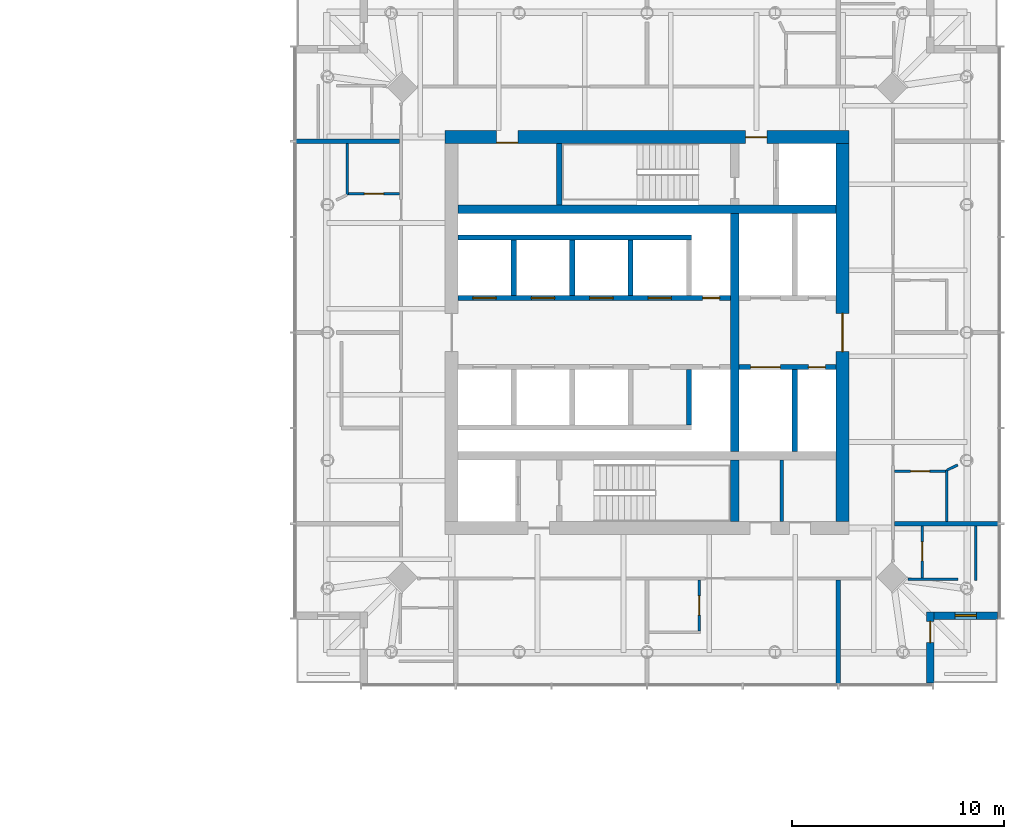
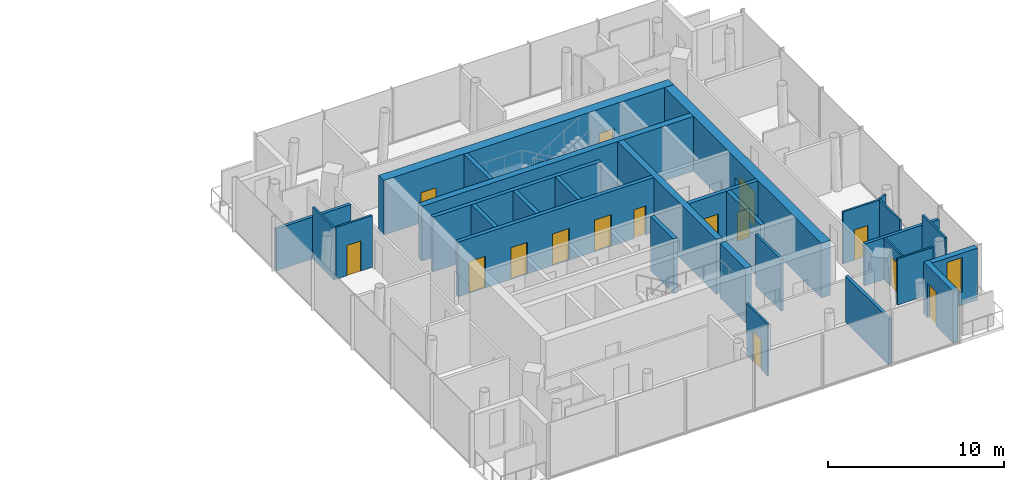
# One storey, part 14 of 27: 29 walls, 15 doors, 1 window, 16 openings.
"""IFC4 building model written with IfcOpenShell, lengths in metres."""

from ifc_helpers import new_model, si_unit, direction, frame, frame_2d, origin, place, context, subcontext, project, spatial, rectangle, extrude, material, layer, layer_set, type_object, element, fill, save


model = new_model("IFC4")

# Units and contexts
model_context = context("Model", 3, precision=1e-05, world=origin(), true_north=direction((0.0, 1.0)))
body_context = subcontext(model_context, "Body", "Model", "MODEL_VIEW")
ifc_project = project(units=[si_unit("LENGTHUNIT", "METRE"), si_unit("AREAUNIT", "SQUARE_METRE"), si_unit("VOLUMEUNIT", "CUBIC_METRE"), si_unit("PLANEANGLEUNIT", "RADIAN"), si_unit("MASSUNIT", "GRAM", prefix="KILO")], contexts=[model_context])

# Site, building, storey
site_placement = place(None, origin())
site = spatial("IfcSite", under=ifc_project, at=site_placement, CompositionType="ELEMENT")
building_placement = place(site_placement, origin())
building = spatial("IfcBuilding", under=site, at=building_placement, Name="Ostroluk Exchange", CompositionType="ELEMENT")
storey_placement = place(building_placement, frame((0.0, 0.0, 112.199951171875)))
storey = spatial("IfcBuildingStorey", under=building, at=storey_placement, Name="L28", CompositionType="ELEMENT", Elevation=112.199951171875)

# Walls
ifc_material_1 = material(Name="Concrete blockwork", Category="masonry")
ifc_layer_1 = layer(ifc_material_1, 0.14990234375)
ifc_layer_set_1 = layer_set([ifc_layer_1], Name="Blockwork plant room wall 150")
wall_type_1 = type_object("IfcWallType", Name="Blockwork plant room wall 150", PredefinedType="SOLIDWALL", material=ifc_layer_set_1)
wall_1_placement = place(storey_placement, frame((123.3408203125, 37.10009765625, 0.0), z_axis=(0.0, 0.0, 1.0), x_axis=(0.0, 1.0, 0.0)))
element("IfcWall", 1, at=wall_1_placement, inside=storey, type_object=wall_type_1, Name="Core room wall", PredefinedType="SOLIDWALL", context=body_context, shape_type="SweptSolid", body=[
    extrude(rectangle(XDim=2.89990234375, YDim=0.14990234375, at=frame_2d((1.449951171875, 0.0))), origin(), (0.0, 0.0, 1.0), 3.60009765625),
])
ifc_material_2 = material(Name="Concrete C50/60", Category="concrete")
ifc_layer_2 = layer(ifc_material_2, 0.39990234375)
ifc_layer_set_2 = layer_set([ifc_layer_2], Name="Core cross wall 400 C50/60")
wall_type_2 = type_object("IfcWallType", Name="Core cross wall 400 C50/60", PredefinedType="SHEAR", material=ifc_layer_set_2)
wall_2_placement = place(storey_placement, frame((108.10009765625, 51.800048828125, 0.0), z_axis=(0.0, 0.0, 1.0), x_axis=(1.0, 0.0, 0.0)))
element("IfcWall", 2, at=wall_2_placement, inside=storey, type_object=wall_type_2, Name="T2 core wall XN", PredefinedType="SHEAR", context=body_context, shape_type="SweptSolid", body=[
    extrude(rectangle(XDim=17.7998046875, YDim=0.39990234375, at=frame_2d((8.89990234375, 0.0))), origin(), (0.0, 0.0, 1.0), 3.800048828125),
])
wall_3_placement = place(storey_placement, frame((121.1298828125, 37.10009765625, 0.0), z_axis=(0.0, 0.0, 1.0), x_axis=(0.0, 1.0, 0.0)))
element("IfcWall", 3, at=wall_3_placement, inside=storey, type_object=wall_type_2, Name="T2 core wall YE1", PredefinedType="SHEAR", context=body_context, shape_type="SweptSolid", body=[
    extrude(rectangle(XDim=2.89990234375, YDim=0.39990234375, at=frame_2d((1.449951171875, 0.0))), origin(), (0.0, 0.0, 1.0), 3.800048828125),
])
wall_4_placement = place(storey_placement, frame((121.1298828125, 40.39990234375, 0.0), z_axis=(0.0, 0.0, 1.0), x_axis=(0.0, 1.0, 0.0)))
element("IfcWall", 4, at=wall_4_placement, inside=storey, type_object=wall_type_2, Name="T2 core wall YE2", PredefinedType="SHEAR", context=body_context, shape_type="SweptSolid", body=[
    extrude(rectangle(XDim=11.2001953125, YDim=0.39990234375, at=frame_2d((5.60009765625, 0.0))), origin(), (0.0, 0.0, 1.0), 3.800048828125),
])
ifc_material_3 = material(Name="Concrete C40/50", Category="concrete")
ifc_layer_3 = layer(ifc_material_3, 0.25)
ifc_layer_set_3 = layer_set([ifc_layer_3], Name="Core shaft wall 250")
wall_type_3 = type_object("IfcWallType", Name="Core shaft wall 250", PredefinedType="SHEAR", material=ifc_layer_set_3)
wall_5_placement = place(storey_placement, frame((112.875, 52.0, 0.0), z_axis=(0.0, 0.0, 1.0), x_axis=(0.0, 1.0, 0.0)))
element("IfcWall", 5, at=wall_5_placement, inside=storey, type_object=wall_type_3, Name="Stair shaft wall", PredefinedType="SHEAR", context=body_context, shape_type="SweptSolid", body=[
    extrude(rectangle(XDim=2.89990234375, YDim=0.25, at=frame_2d((1.449951171875, 0.0))), origin(), (0.0, 0.0, 1.0), 3.800048828125),
])
for number, where, z_axis, x_axis, name in (
    (6, (110.72509765625, 47.75, 0.0), (0.0, 0.0, 1.0), (0.0, 1.0, 0.0), "Lift shaft wall"),
    (7, (113.47509765625, 47.75, 0.0), (0.0, 0.0, 1.0), (0.0, 1.0, 0.0), "Lift shaft wall"),
    (8, (116.22509765625, 47.75, 0.0), (0.0, 0.0, 1.0), (0.0, 1.0, 0.0), "Lift shaft wall"),
):
    element("IfcWall", number, at=place(storey_placement, frame(where, z_axis=z_axis, x_axis=x_axis)), inside=storey, type_object=wall_type_3, Name=name, PredefinedType="SHEAR", context=body_context, shape_type="SweptSolid", body=[
        extrude(rectangle(XDim=2.60009765625, YDim=0.25, at=frame_2d((1.300048828125, 0.0))), origin(), (0.0, 0.0, 1.0), 3.800048828125),
    ])
wall_6_placement = place(storey_placement, frame((108.10009765625, 50.47509765625, 0.0), z_axis=(0.0, 0.0, 1.0), x_axis=(1.0, 0.0, 0.0)))
element("IfcWall", 9, at=wall_6_placement, inside=storey, type_object=wall_type_3, Name="Lift shaft wall", PredefinedType="SHEAR", context=body_context, shape_type="SweptSolid", body=[
    extrude(rectangle(XDim=11.0, YDim=0.25, at=frame_2d((5.5, 0.0))), origin(), (0.0, 0.0, 1.0), 3.800048828125),
])

# Wall, openings, doors
wall_7_placement = place(storey_placement, frame((108.10009765625, 47.625, 0.0), z_axis=(0.0, 0.0, 1.0), x_axis=(1.0, 0.0, 0.0)))
wall_7 = element("IfcWall", 10, at=wall_7_placement, inside=storey, type_object=wall_type_3, Name="Lift shaft front wall", PredefinedType="SHEAR", context=body_context, shape_type="SweptSolid", body=[
    extrude(rectangle(XDim=12.829833984375, YDim=0.25, at=frame_2d((6.4150390625, 0.0))), origin(), (0.0, 0.0, 1.0), 3.800048828125),
])
opening_1_placement = place(wall_7_placement, frame((0.699951171875, 0.0, 0.0)))
opening_1 = element("IfcOpeningElement", 11, at=opening_1_placement, cuts=wall_7, Name="Opening LD", PredefinedType="OPENING", context=body_context, shape_type="SweptSolid", body=[
    extrude(rectangle(XDim=1.10009765625, YDim=2.199951171875, at=frame_2d((0.550048828125, 1.10009765625))), frame((0.0, 0.135009765625, 0.0), z_axis=(0.0, -1.0, 0.0), x_axis=(1.0, 0.0, 0.0)), (0.0, 0.0, 1.0), 0.27001953125),
])
opening_2_placement = place(wall_7_placement, frame((3.449951171875, 0.0, 0.0)))
opening_2 = element("IfcOpeningElement", 12, at=opening_2_placement, cuts=wall_7, Name="Opening LD", PredefinedType="OPENING", context=body_context, shape_type="SweptSolid", body=[
    extrude(rectangle(XDim=1.10009765625, YDim=2.199951171875, at=frame_2d((0.550048828125, 1.10009765625))), frame((0.0, 0.135009765625, 0.0), z_axis=(0.0, -1.0, 0.0), x_axis=(1.0, 0.0, 0.0)), (0.0, 0.0, 1.0), 0.27001953125),
])
opening_3_placement = place(wall_7_placement, frame((6.199951171875, 0.0, 0.0)))
opening_3 = element("IfcOpeningElement", 13, at=opening_3_placement, cuts=wall_7, Name="Opening LD", PredefinedType="OPENING", context=body_context, shape_type="SweptSolid", body=[
    extrude(rectangle(XDim=1.10009765625, YDim=2.199951171875, at=frame_2d((0.550048828125, 1.10009765625))), frame((0.0, 0.135009765625, 0.0), z_axis=(0.0, -1.0, 0.0), x_axis=(1.0, 0.0, 0.0)), (0.0, 0.0, 1.0), 0.27001953125),
])
opening_4_placement = place(wall_7_placement, frame((8.949951171875, 0.0, 0.0)))
opening_4 = element("IfcOpeningElement", 14, at=opening_4_placement, cuts=wall_7, Name="Opening LD", PredefinedType="OPENING", context=body_context, shape_type="SweptSolid", body=[
    extrude(rectangle(XDim=1.10009765625, YDim=2.199951171875, at=frame_2d((0.550048828125, 1.10009765625))), frame((0.0, 0.135009765625, 0.0), z_axis=(0.0, -1.0, 0.0), x_axis=(1.0, 0.0, 0.0)), (0.0, 0.0, 1.0), 0.27001953125),
])
opening_5_placement = place(wall_7_placement, frame((11.514892578125, 0.0, 0.0)))
opening_5 = element("IfcOpeningElement", 15, at=opening_5_placement, cuts=wall_7, Name="Opening RD60", PredefinedType="OPENING", context=body_context, shape_type="SweptSolid", body=[
    extrude(rectangle(XDim=0.800048828125, YDim=2.0, at=frame_2d((0.39990234375, 1.0))), frame((0.0, 0.135009765625, 0.0), z_axis=(0.0, -1.0, 0.0), x_axis=(1.0, 0.0, 0.0)), (0.0, 0.0, 1.0), 0.27001953125),
])
ifc_material_4 = material(Name="Stainless steel", Category="steel")
door_type_1 = type_object("IfcDoorType", Name="Lift landing door E 60 1100 x 2200", OperationType="DOUBLE_DOOR_SLIDING", PredefinedType="DOOR", material=ifc_material_4)
door_1_placement = place(opening_1_placement, origin())
door_1 = element("IfcDoor", 16, at=door_1_placement, inside=storey, type_object=door_type_1, Name="Lift HL1 landing door", OperationType="DOUBLE_DOOR_SLIDING", OverallHeight=2.199951171875, OverallWidth=1.10009765625, PredefinedType="DOOR", context=body_context, shape_type="SweptSolid", body=[
    extrude(rectangle(XDim=1.10009765625, YDim=2.199951171875, at=frame_2d((0.550048828125, 1.10009765625))), frame((0.0, 0.02490234375, 0.0), z_axis=(0.0, -1.0, 0.0), x_axis=(1.0, 0.0, 0.0)), (0.0, 0.0, 1.0), 0.050048828125),
])
fill(opening_1, door_1)
door_2_placement = place(opening_2_placement, origin())
door_2 = element("IfcDoor", 17, at=door_2_placement, inside=storey, type_object=door_type_1, Name="Lift HL2 landing door", OperationType="DOUBLE_DOOR_SLIDING", OverallHeight=2.199951171875, OverallWidth=1.10009765625, PredefinedType="DOOR", context=body_context, shape_type="SweptSolid", body=[
    extrude(rectangle(XDim=1.10009765625, YDim=2.199951171875, at=frame_2d((0.550048828125, 1.10009765625))), frame((0.0, 0.02490234375, 0.0), z_axis=(0.0, -1.0, 0.0), x_axis=(1.0, 0.0, 0.0)), (0.0, 0.0, 1.0), 0.050048828125),
])
fill(opening_2, door_2)
door_3_placement = place(opening_3_placement, origin())
door_3 = element("IfcDoor", 18, at=door_3_placement, inside=storey, type_object=door_type_1, Name="Lift HL3 landing door", OperationType="DOUBLE_DOOR_SLIDING", OverallHeight=2.199951171875, OverallWidth=1.10009765625, PredefinedType="DOOR", context=body_context, shape_type="SweptSolid", body=[
    extrude(rectangle(XDim=1.10009765625, YDim=2.199951171875, at=frame_2d((0.550048828125, 1.10009765625))), frame((0.0, 0.02490234375, 0.0), z_axis=(0.0, -1.0, 0.0), x_axis=(1.0, 0.0, 0.0)), (0.0, 0.0, 1.0), 0.050048828125),
])
fill(opening_3, door_3)
door_4_placement = place(opening_4_placement, origin())
door_4 = element("IfcDoor", 19, at=door_4_placement, inside=storey, type_object=door_type_1, Name="Lift HL4 landing door", OperationType="DOUBLE_DOOR_SLIDING", OverallHeight=2.199951171875, OverallWidth=1.10009765625, PredefinedType="DOOR", context=body_context, shape_type="SweptSolid", body=[
    extrude(rectangle(XDim=1.10009765625, YDim=2.199951171875, at=frame_2d((0.550048828125, 1.10009765625))), frame((0.0, 0.02490234375, 0.0), z_axis=(0.0, -1.0, 0.0), x_axis=(1.0, 0.0, 0.0)), (0.0, 0.0, 1.0), 0.050048828125),
])
fill(opening_4, door_4)
ifc_material_5 = material(Name="Steel", Category="steel")
door_type_2 = type_object("IfcDoorType", Name="Riser access door EI 60 800 x 2000", OperationType="SINGLE_SWING_LEFT", PredefinedType="DOOR", material=ifc_material_5)
door_5_placement = place(opening_5_placement, origin())
door_5 = element("IfcDoor", 20, at=door_5_placement, inside=storey, type_object=door_type_2, Name="Riser access door", OperationType="SINGLE_SWING_RIGHT", OverallHeight=2.0, OverallWidth=0.800048828125, PredefinedType="DOOR", context=body_context, shape_type="SweptSolid", body=[
    extrude(rectangle(XDim=0.800048828125, YDim=2.0, at=frame_2d((0.39990234375, 1.0))), frame((0.0, 0.02490234375, 0.0), z_axis=(0.0, -1.0, 0.0), x_axis=(1.0, 0.0, 0.0)), (0.0, 0.0, 1.0), 0.050048828125),
])
fill(opening_5, door_5)

# Walls
wall_8_placement = place(storey_placement, frame((118.97509765625, 44.25, 0.0), z_axis=(0.0, 0.0, 1.0), x_axis=(0.0, -1.0, 0.0)))
element("IfcWall", 21, at=wall_8_placement, inside=storey, type_object=wall_type_3, Name="Lift shaft wall", PredefinedType="SHEAR", context=body_context, shape_type="SweptSolid", body=[
    extrude(rectangle(XDim=2.60009765625, YDim=0.25, at=frame_2d((1.300048828125, 0.0))), origin(), (0.0, 0.0, 1.0), 3.800048828125),
])
wall_9_placement = place(storey_placement, frame((123.955078125, 44.25, 0.0), z_axis=(0.0, 0.0, 1.0), x_axis=(0.0, -1.0, 0.0)))
element("IfcWall", 22, at=wall_9_placement, inside=storey, type_object=wall_type_3, Name="Lift shaft wall", PredefinedType="SHEAR", context=body_context, shape_type="SweptSolid", body=[
    extrude(rectangle(XDim=3.85009765625, YDim=0.25, at=frame_2d((1.925048828125, 0.0))), origin(), (0.0, 0.0, 1.0), 3.800048828125),
])

# Wall, openings, doors
wall_10_placement = place(storey_placement, frame((121.330078125, 44.375, 0.0), z_axis=(0.0, 0.0, 1.0), x_axis=(1.0, 0.0, 0.0)))
wall_10 = element("IfcWall", 23, at=wall_10_placement, inside=storey, type_object=wall_type_3, Name="Lift shaft front wall", PredefinedType="SHEAR", context=body_context, shape_type="SweptSolid", body=[
    extrude(rectangle(XDim=4.56982421875, YDim=0.25, at=frame_2d((2.284912109375, 0.0))), origin(), (0.0, 0.0, 1.0), 3.800048828125),
])
opening_6_placement = place(wall_10_placement, frame((0.550048828125, 0.0, 0.0)))
opening_6 = element("IfcOpeningElement", 24, at=opening_6_placement, cuts=wall_10, Name="Opening LD3", PredefinedType="OPENING", context=body_context, shape_type="SweptSolid", body=[
    extrude(rectangle(XDim=1.39990234375, YDim=2.39990234375, at=frame_2d((0.699951171875, 1.199951171875))), frame((0.0, 0.135009765625, 0.0), z_axis=(0.0, -1.0, 0.0), x_axis=(1.0, 0.0, 0.0)), (0.0, 0.0, 1.0), 0.27001953125),
])
opening_7_placement = place(wall_10_placement, frame((3.260009765625, 0.0, 0.0)))
opening_7 = element("IfcOpeningElement", 25, at=opening_7_placement, cuts=wall_10, Name="Opening RD60", PredefinedType="OPENING", context=body_context, shape_type="SweptSolid", body=[
    extrude(rectangle(XDim=0.800048828125, YDim=2.0, at=frame_2d((0.39990234375, 1.0))), frame((0.0, 0.135009765625, 0.0), z_axis=(0.0, -1.0, 0.0), x_axis=(1.0, 0.0, 0.0)), (0.0, 0.0, 1.0), 0.27001953125),
])
ifc_material_6 = material(Name="Stainless steel", Category="steel")
door_type_3 = type_object("IfcDoorType", Name="Goods lift landing door E 60 1400 x 2400", OperationType="DOUBLE_DOOR_SLIDING", PredefinedType="DOOR", material=ifc_material_6)
door_6_placement = place(opening_6_placement, origin())
door_6 = element("IfcDoor", 26, at=door_6_placement, inside=storey, type_object=door_type_3, Name="Lift HS2 landing door", OperationType="DOUBLE_DOOR_SLIDING", OverallHeight=2.39990234375, OverallWidth=1.39990234375, PredefinedType="DOOR", context=body_context, shape_type="SweptSolid", body=[
    extrude(rectangle(XDim=1.39990234375, YDim=2.39990234375, at=frame_2d((0.699951171875, 1.199951171875))), frame((0.0, 0.02490234375, 0.0), z_axis=(0.0, -1.0, 0.0), x_axis=(1.0, 0.0, 0.0)), (0.0, 0.0, 1.0), 0.050048828125),
])
fill(opening_6, door_6)
door_7_placement = place(opening_7_placement, origin())
door_7 = element("IfcDoor", 27, at=door_7_placement, inside=storey, type_object=door_type_2, Name="Riser access door", OperationType="SINGLE_SWING_RIGHT", OverallHeight=2.0, OverallWidth=0.800048828125, PredefinedType="DOOR", context=body_context, shape_type="SweptSolid", body=[
    extrude(rectangle(XDim=0.800048828125, YDim=2.0, at=frame_2d((0.39990234375, 1.0))), frame((0.0, 0.02490234375, 0.0), z_axis=(0.0, -1.0, 0.0), x_axis=(1.0, 0.0, 0.0)), (0.0, 0.0, 1.0), 0.050048828125),
])
fill(opening_7, door_7)

ifc_material_7 = material(Name="Concrete C50/60", Category="concrete")
ifc_layer_4 = layer(ifc_material_7, 0.60009765625)
ifc_layer_set_4 = layer_set([ifc_layer_4], Name="Core wall 600 C50/60")
wall_type_4 = type_object("IfcWallType", Name="Core wall 600 C50/60", PredefinedType="SHEAR", material=ifc_layer_set_4)
wall_11_placement = place(storey_placement, frame((107.5, 55.199951171875, 0.0), z_axis=(0.0, 0.0, 1.0), x_axis=(1.0, 0.0, 0.0)))
wall_11 = element("IfcWall", 28, at=wall_11_placement, inside=storey, type_object=wall_type_4, Name="T2 core wall N", PredefinedType="SHEAR", context=body_context, shape_type="SweptSolid", body=[
    extrude(rectangle(XDim=19.0, YDim=0.60009765625, at=frame_2d((9.5, 0.0))), origin(), (0.0, 0.0, 1.0), 3.800048828125),
])
opening_8_placement = place(wall_11_placement, frame((14.139892578125, 0.0, 0.0)))
opening_8 = element("IfcOpeningElement", 29, at=opening_8_placement, cuts=wall_11, Name="Opening FD60", PredefinedType="OPENING", context=body_context, shape_type="SweptSolid", body=[
    extrude(rectangle(XDim=1.0, YDim=2.10009765625, at=frame_2d((0.5, 1.050048828125))), frame((0.0, 0.31005859375, 0.0), z_axis=(0.0, -1.0, 0.0), x_axis=(1.0, 0.0, 0.0)), (0.0, 0.0, 1.0), 0.6201171875),
])
opening_9_placement = place(wall_11_placement, frame((2.425048828125, 0.0, 0.0)))
opening_9 = element("IfcOpeningElement", 30, at=opening_9_placement, cuts=wall_11, Name="Opening FD60", PredefinedType="OPENING", context=body_context, shape_type="SweptSolid", body=[
    extrude(rectangle(XDim=1.0, YDim=2.10009765625, at=frame_2d((0.5, 1.050048828125))), frame((0.0, 0.31005859375, 0.0), z_axis=(0.0, -1.0, 0.0), x_axis=(1.0, 0.0, 0.0)), (0.0, 0.0, 1.0), 0.6201171875),
])
ifc_material_8 = material(Name="Steel", Category="steel")
door_type_4 = type_object("IfcDoorType", Name="Fire door EI 60 1000 x 2100", OperationType="SINGLE_SWING_LEFT", PredefinedType="DOOR", material=ifc_material_8)
door_8_placement = place(opening_8_placement, origin())
door_8 = element("IfcDoor", 31, at=door_8_placement, inside=storey, type_object=door_type_4, Name="Firefighting lobby door", OperationType="SINGLE_SWING_RIGHT", OverallHeight=2.10009765625, OverallWidth=1.0, PredefinedType="DOOR", context=body_context, shape_type="SweptSolid", body=[
    extrude(rectangle(XDim=1.0, YDim=2.10009765625, at=frame_2d((0.5, 1.050048828125))), frame((0.0, 0.02490234375, 0.0), z_axis=(0.0, -1.0, 0.0), x_axis=(1.0, 0.0, 0.0)), (0.0, 0.0, 1.0), 0.050048828125),
])
fill(opening_8, door_8)
door_9_placement = place(opening_9_placement, origin())
door_9 = element("IfcDoor", 32, at=door_9_placement, inside=storey, type_object=door_type_4, Name="Room-service pantry door", OperationType="SINGLE_SWING_LEFT", OverallHeight=2.10009765625, OverallWidth=1.0, PredefinedType="DOOR", context=body_context, shape_type="SweptSolid", body=[
    extrude(rectangle(XDim=1.0, YDim=2.10009765625, at=frame_2d((0.5, 1.050048828125))), frame((0.0, -0.23974609375, 0.0), z_axis=(0.0, -1.0, 0.0), x_axis=(1.0, 0.0, 0.0)), (0.0, 0.0, 1.0), 0.050048828125),
])
fill(opening_9, door_9)

# Wall, opening, door
wall_12_placement = place(storey_placement, frame((126.199951171875, 37.10009765625, 0.0), z_axis=(0.0, 0.0, 1.0), x_axis=(0.0, 1.0, 0.0)))
wall_12 = element("IfcWall", 33, at=wall_12_placement, inside=storey, type_object=wall_type_4, Name="T2 core wall E", PredefinedType="SHEAR", context=body_context, shape_type="SweptSolid", body=[
    extrude(rectangle(XDim=17.7998046875, YDim=0.60009765625, at=frame_2d((8.89990234375, 0.0))), origin(), (0.0, 0.0, 1.0), 3.800048828125),
])
opening_10_placement = place(wall_12_placement, frame((8.0, 0.0, 0.0)))
opening_10 = element("IfcOpeningElement", 34, at=opening_10_placement, cuts=wall_12, Name="Opening FD30D", PredefinedType="OPENING", context=body_context, shape_type="SweptSolid", body=[
    extrude(rectangle(XDim=1.800048828125, YDim=2.39990234375, at=frame_2d((0.89990234375, 1.199951171875))), frame((0.0, 0.31005859375, 0.0), z_axis=(0.0, -1.0, 0.0), x_axis=(1.0, 0.0, 0.0)), (0.0, 0.0, 1.0), 0.6201171875),
])
ifc_material_9 = material(Name="Timber", Category="wood")
door_type_5 = type_object("IfcDoorType", Name="Lobby double door EI 30 1800 x 2400", OperationType="DOUBLE_DOOR_SINGLE_SWING", PredefinedType="DOOR", material=ifc_material_9)
door_10_placement = place(opening_10_placement, origin())
door_10 = element("IfcDoor", 35, at=door_10_placement, inside=storey, type_object=door_type_5, Name="Lift lobby doors", OperationType="DOUBLE_DOOR_SINGLE_SWING", OverallHeight=2.39990234375, OverallWidth=1.800048828125, PredefinedType="DOOR", context=body_context, shape_type="SweptSolid", body=[
    extrude(rectangle(XDim=1.800048828125, YDim=2.39990234375, at=frame_2d((0.89990234375, 1.199951171875))), frame((0.0, 0.02490234375, 0.0), z_axis=(0.0, -1.0, 0.0), x_axis=(1.0, 0.0, 0.0)), (0.0, 0.0, 1.0), 0.050048828125),
])
fill(opening_10, door_10)

ifc_material_10 = material(Name="Limestone", Category="masonry")
ifc_layer_5 = layer(ifc_material_10, 0.35009765625)
ifc_layer_set_5 = layer_set([ifc_layer_5], Name="Limestone facade wall 350")
wall_type_5 = type_object("IfcWallType", Name="Limestone facade wall 350", PredefinedType="SOLIDWALL", material=ifc_layer_set_5)
wall_13_placement = place(storey_placement, frame((130.324951171875, 29.5, 0.0), z_axis=(0.0, 0.0, 1.0), x_axis=(0.0, 1.0, 0.0)))
wall_13 = element("IfcWall", 36, at=wall_13_placement, inside=storey, type_object=wall_type_5, Name="Hotel tower SE corner wall L28 a", PredefinedType="SOLIDWALL", context=body_context, shape_type="SweptSolid", body=[
    extrude(rectangle(XDim=3.35009765625, YDim=0.35009765625, at=frame_2d((1.675048828125, 0.0))), origin(), (0.0, 0.0, 1.0), 3.60009765625),
])
opening_11_placement = place(wall_13_placement, frame((1.89990234375, 0.0, 0.0)))
opening_11 = element("IfcOpeningElement", 37, at=opening_11_placement, cuts=wall_13, Name="Opening D-B1", PredefinedType="OPENING", context=body_context, shape_type="SweptSolid", body=[
    extrude(rectangle(XDim=1.0, YDim=2.39990234375, at=frame_2d((0.5, 1.199951171875))), frame((0.0, 0.18505859375, 0.0), z_axis=(0.0, -1.0, 0.0), x_axis=(1.0, 0.0, 0.0)), (0.0, 0.0, 1.0), 0.3701171875),
])
ifc_material_11 = material(Name="Bronze framed glazed door", Category="aluminium")
door_type_6 = type_object("IfcDoorType", Name="Balcony door 1000 x 2400", OperationType="SINGLE_SWING_LEFT", PredefinedType="DOOR", material=ifc_material_11)
door_11_placement = place(opening_11_placement, origin())
door_11 = element("IfcDoor", 38, at=door_11_placement, inside=storey, type_object=door_type_6, Name="Hotel tower SE balcony door L28", OperationType="SINGLE_SWING_RIGHT", OverallHeight=2.39990234375, OverallWidth=1.0, PredefinedType="DOOR", context=body_context, shape_type="SweptSolid", body=[
    extrude(rectangle(XDim=1.0, YDim=2.39990234375, at=frame_2d((0.5, 1.199951171875))), frame((0.0, 0.02490234375, 0.0), z_axis=(0.0, -1.0, 0.0), x_axis=(1.0, 0.0, 0.0)), (0.0, 0.0, 1.0), 0.050048828125),
])
fill(opening_11, door_11)

# Wall, opening, window
wall_14_placement = place(storey_placement, frame((130.5, 32.675048828125, 0.0), z_axis=(0.0, 0.0, 1.0), x_axis=(1.0, 0.0, 0.0)))
wall_14 = element("IfcWall", 39, at=wall_14_placement, inside=storey, type_object=wall_type_5, Name="Hotel tower SE corner wall L28 b", PredefinedType="SOLIDWALL", context=body_context, shape_type="SweptSolid", body=[
    extrude(rectangle(XDim=3.0, YDim=0.35009765625, at=frame_2d((1.5, 0.0))), origin(), (0.0, 0.0, 1.0), 3.60009765625),
])
opening_12_placement = place(wall_14_placement, frame((1.0, 0.0, 0.89990234375)))
opening_12 = element("IfcOpeningElement", 40, at=opening_12_placement, cuts=wall_14, Name="Opening WN-L3", PredefinedType="OPENING", context=body_context, shape_type="SweptSolid", body=[
    extrude(rectangle(XDim=1.0, YDim=2.39990234375, at=frame_2d((0.5, 1.199951171875))), frame((0.0, 0.18505859375, 0.0), z_axis=(0.0, -1.0, 0.0), x_axis=(1.0, 0.0, 0.0)), (0.0, 0.0, 1.0), 0.3701171875),
])
ifc_material_12 = material(Name="Laminated clear glass", Category="glass")
window_type = type_object("IfcWindowType", Name="Hotel lancet window 1000 x 2400", PartitioningType="SINGLE_PANEL", PredefinedType="WINDOW", material=ifc_material_12)
window_placement = place(opening_12_placement, origin())
window = element("IfcWindow", 41, at=window_placement, inside=storey, type_object=window_type, Name="Hotel tower SE lancet window L28", OverallHeight=2.39990234375, OverallWidth=1.0, PartitioningType="SINGLE_PANEL", PredefinedType="WINDOW", context=body_context, shape_type="SweptSolid", body=[
    extrude(rectangle(XDim=1.0, YDim=2.39990234375, at=frame_2d((0.5, 1.199951171875))), frame((0.0, 0.030029296875, 0.0), z_axis=(0.0, -1.0, 0.0), x_axis=(1.0, 0.0, 0.0)), (0.0, 0.0, 1.0), 0.06005859375),
])
fill(opening_12, window)

# Wall, opening, door
ifc_material_13 = material(Name="Gypsum plasterboard partition, moisture resistant", Category="gypsum")
ifc_layer_6 = layer(ifc_material_13, 0.1201171875)
ifc_layer_set_6 = layer_set([ifc_layer_6], Name="Plasterboard en-suite wall 120")
wall_type_6 = type_object("IfcWallType", Name="Plasterboard en-suite wall 120", PredefinedType="PARTITIONING", material=ifc_layer_set_6)
wall_15_placement = place(storey_placement, frame((129.949951171875, 36.89990234375, 0.0), z_axis=(0.0, 0.0, 1.0), x_axis=(0.0, -1.0, 0.0)))
wall_15 = element("IfcWall", 42, at=wall_15_placement, inside=storey, type_object=wall_type_6, Name="En-suite wall", PredefinedType="PARTITIONING", context=body_context, shape_type="SweptSolid", body=[
    extrude(rectangle(XDim=2.579833984375, YDim=0.1201171875, at=frame_2d((1.2900390625, 0.0))), origin(), (0.0, 0.0, 1.0), 2.900146484375),
])
opening_13_placement = place(wall_15_placement, frame((0.75, 0.0, 0.0)))
opening_13 = element("IfcOpeningElement", 43, at=opening_13_placement, cuts=wall_15, Name="Opening D-02", PredefinedType="OPENING", context=body_context, shape_type="SweptSolid", body=[
    extrude(rectangle(XDim=0.89990234375, YDim=2.10009765625, at=frame_2d((0.449951171875, 1.050048828125))), frame((0.0, 0.070068359375, 0.0), z_axis=(0.0, -1.0, 0.0), x_axis=(1.0, 0.0, 0.0)), (0.0, 0.0, 1.0), 0.14013671875),
])
ifc_material_14 = material(Name="Timber", Category="wood")
door_type_7 = type_object("IfcDoorType", Name="En-suite door 900 x 2100", OperationType="SINGLE_SWING_LEFT", PredefinedType="DOOR", material=ifc_material_14)
door_12_placement = place(opening_13_placement, origin())
door_12 = element("IfcDoor", 44, at=door_12_placement, inside=storey, type_object=door_type_7, Name="En-suite door 2801", OperationType="SINGLE_SWING_LEFT", OverallHeight=2.10009765625, OverallWidth=0.89990234375, PredefinedType="DOOR", context=body_context, shape_type="SweptSolid", body=[
    extrude(rectangle(XDim=0.89990234375, YDim=2.10009765625, at=frame_2d((0.449951171875, 1.050048828125))), frame((0.0, 0.02490234375, 0.0), z_axis=(0.0, -1.0, 0.0), x_axis=(1.0, 0.0, 0.0)), (0.0, 0.0, 1.0), 0.050048828125),
])
fill(opening_13, door_12)

# Walls
wall_16_placement = place(storey_placement, frame((132.469970703125, 36.89990234375, 0.0), z_axis=(0.0, 0.0, 1.0), x_axis=(0.0, -1.0, 0.0)))
element("IfcWall", 45, at=wall_16_placement, inside=storey, type_object=wall_type_6, Name="En-suite wall", PredefinedType="PARTITIONING", context=body_context, shape_type="SweptSolid", body=[
    extrude(rectangle(XDim=2.579833984375, YDim=0.1201171875, at=frame_2d((1.2900390625, 0.0))), origin(), (0.0, 0.0, 1.0), 3.60009765625),
])
wall_17_placement = place(storey_placement, frame((129.2900390625, 34.3798828125, 0.0), z_axis=(0.0, 0.0, 1.0), x_axis=(1.0, 0.0, 0.0)))
element("IfcWall", 46, at=wall_17_placement, inside=storey, type_object=wall_type_6, Name="En-suite wall", PredefinedType="PARTITIONING", context=body_context, shape_type="SweptSolid", body=[
    extrude(rectangle(XDim=2.335693359375, YDim=0.1201171875, at=frame_2d((1.16796875, 0.0))), origin(), (0.0, 0.0, 1.0), 3.199951171875),
])
wall_18_placement = place(storey_placement, frame((131.110107421875, 37.10009765625, 0.0), z_axis=(0.0, 0.0, 1.0), x_axis=(0.0, 1.0, 0.0)))
element("IfcWall", 47, at=wall_18_placement, inside=storey, type_object=wall_type_6, Name="En-suite wall", PredefinedType="PARTITIONING", context=body_context, shape_type="SweptSolid", body=[
    extrude(rectangle(XDim=2.419921875, YDim=0.1201171875, at=frame_2d((1.2099609375, 0.0))), origin(), (0.0, 0.0, 1.0), 3.60009765625),
])

# Wall, opening, door
wall_19_placement = place(storey_placement, frame((128.64990234375, 39.4599609375, 0.0), z_axis=(0.0, 0.0, 1.0), x_axis=(1.0, 0.0, 0.0)))
wall_19 = element("IfcWall", 48, at=wall_19_placement, inside=storey, type_object=wall_type_6, Name="En-suite wall", PredefinedType="PARTITIONING", context=body_context, shape_type="SweptSolid", body=[
    extrude(rectangle(XDim=2.400146484375, YDim=0.1201171875, at=frame_2d((1.2001953125, 0.0))), origin(), (0.0, 0.0, 1.0), 3.60009765625),
])
opening_14_placement = place(wall_19_placement, frame((0.75, 0.0, 0.0)))
opening_14 = element("IfcOpeningElement", 49, at=opening_14_placement, cuts=wall_19, Name="Opening D-02", PredefinedType="OPENING", context=body_context, shape_type="SweptSolid", body=[
    extrude(rectangle(XDim=0.89990234375, YDim=2.10009765625, at=frame_2d((0.449951171875, 1.050048828125))), frame((0.0, 0.070068359375, 0.0), z_axis=(0.0, -1.0, 0.0), x_axis=(1.0, 0.0, 0.0)), (0.0, 0.0, 1.0), 0.14013671875),
])
door_13_placement = place(opening_14_placement, origin())
door_13 = element("IfcDoor", 50, at=door_13_placement, inside=storey, type_object=door_type_7, Name="En-suite door 2802", OperationType="SINGLE_SWING_LEFT", OverallHeight=2.10009765625, OverallWidth=0.89990234375, PredefinedType="DOOR", context=body_context, shape_type="SweptSolid", body=[
    extrude(rectangle(XDim=0.89990234375, YDim=2.10009765625, at=frame_2d((0.449951171875, 1.050048828125))), frame((0.0, 0.02490234375, 0.0), z_axis=(0.0, -1.0, 0.0), x_axis=(1.0, 0.0, 0.0)), (0.0, 0.0, 1.0), 0.050048828125),
])
fill(opening_14, door_13)

# Wall
wall_20_placement = place(storey_placement, frame((102.889892578125, 54.89990234375, 0.0), z_axis=(0.0, 0.0, 1.0), x_axis=(0.0, -1.0, 0.0)))
element("IfcWall", 51, at=wall_20_placement, inside=storey, type_object=wall_type_6, Name="En-suite wall", PredefinedType="PARTITIONING", context=body_context, shape_type="SweptSolid", body=[
    extrude(rectangle(XDim=2.419921875, YDim=0.1201171875, at=frame_2d((1.2099609375, 0.0))), origin(), (0.0, 0.0, 1.0), 3.60009765625),
])

# Wall, opening, door
wall_21_placement = place(storey_placement, frame((105.35009765625, 52.5400390625, 0.0), z_axis=(0.0, 0.0, 1.0), x_axis=(-1.0, 0.0, 0.0)))
wall_21 = element("IfcWall", 52, at=wall_21_placement, inside=storey, type_object=wall_type_6, Name="En-suite wall", PredefinedType="PARTITIONING", context=body_context, shape_type="SweptSolid", body=[
    extrude(rectangle(XDim=2.400146484375, YDim=0.1201171875, at=frame_2d((1.2001953125, 0.0))), origin(), (0.0, 0.0, 1.0), 3.60009765625),
])
opening_15_placement = place(wall_21_placement, frame((0.75, 0.0, 0.0)))
opening_15 = element("IfcOpeningElement", 53, at=opening_15_placement, cuts=wall_21, Name="Opening D-02", PredefinedType="OPENING", context=body_context, shape_type="SweptSolid", body=[
    extrude(rectangle(XDim=0.89990234375, YDim=2.10009765625, at=frame_2d((0.449951171875, 1.050048828125))), frame((0.0, 0.070068359375, 0.0), z_axis=(0.0, -1.0, 0.0), x_axis=(1.0, 0.0, 0.0)), (0.0, 0.0, 1.0), 0.14013671875),
])
door_14_placement = place(opening_15_placement, origin())
door_14 = element("IfcDoor", 54, at=door_14_placement, inside=storey, type_object=door_type_7, Name="En-suite door 2807", OperationType="SINGLE_SWING_RIGHT", OverallHeight=2.10009765625, OverallWidth=0.89990234375, PredefinedType="DOOR", context=body_context, shape_type="SweptSolid", body=[
    extrude(rectangle(XDim=0.89990234375, YDim=2.10009765625, at=frame_2d((0.449951171875, 1.050048828125))), frame((0.0, 0.02490234375, 0.0), z_axis=(0.0, -1.0, 0.0), x_axis=(1.0, 0.0, 0.0)), (0.0, 0.0, 1.0), 0.050048828125),
])
fill(opening_15, door_14)

wall_22_placement = place(storey_placement, frame((119.4599609375, 34.35009765625, 0.0), z_axis=(0.0, 0.0, 1.0), x_axis=(0.0, -1.0, 0.0)))
wall_22 = element("IfcWall", 55, at=wall_22_placement, inside=storey, type_object=wall_type_6, Name="En-suite wall", PredefinedType="PARTITIONING", context=body_context, shape_type="SweptSolid", body=[
    extrude(rectangle(XDim=2.400146484375, YDim=0.1201171875, at=frame_2d((1.2001953125, 0.0))), origin(), (0.0, 0.0, 1.0), 3.60009765625),
])
opening_16_placement = place(wall_22_placement, frame((0.75, 0.0, 0.0)))
opening_16 = element("IfcOpeningElement", 56, at=opening_16_placement, cuts=wall_22, Name="Opening D-02", PredefinedType="OPENING", context=body_context, shape_type="SweptSolid", body=[
    extrude(rectangle(XDim=0.89990234375, YDim=2.10009765625, at=frame_2d((0.449951171875, 1.050048828125))), frame((0.0, 0.070068359375, 0.0), z_axis=(0.0, -1.0, 0.0), x_axis=(1.0, 0.0, 0.0)), (0.0, 0.0, 1.0), 0.14013671875),
])
door_15_placement = place(opening_16_placement, origin())
door_15 = element("IfcDoor", 57, at=door_15_placement, inside=storey, type_object=door_type_7, Name="En-suite door 2809", OperationType="SINGLE_SWING_LEFT", OverallHeight=2.10009765625, OverallWidth=0.89990234375, PredefinedType="DOOR", context=body_context, shape_type="SweptSolid", body=[
    extrude(rectangle(XDim=0.89990234375, YDim=2.10009765625, at=frame_2d((0.449951171875, 1.050048828125))), frame((0.0, 0.02490234375, 0.0), z_axis=(0.0, -1.0, 0.0), x_axis=(1.0, 0.0, 0.0)), (0.0, 0.0, 1.0), 0.050048828125),
])
fill(opening_16, door_15)

# Walls
wall_23_placement = place(storey_placement, frame((131.110107421875, 39.52001953125, 0.0), z_axis=(0.0, 0.0, 1.0), x_axis=(0.901316511947, 0.433161107778, 0.0)))
element("IfcWall", 58, at=wall_23_placement, inside=storey, type_object=wall_type_6, Name="En-suite wall", PredefinedType="PARTITIONING", context=body_context, shape_type="SweptSolid", body=[
    extrude(rectangle(XDim=0.572021484375, YDim=0.1201171875, at=frame_2d((0.2861328125, 0.0))), origin(), (0.0, 0.0, 1.0), 3.60009765625),
])
ifc_material_15 = material(Name="Gypsum plasterboard partition", Category="gypsum")
ifc_layer_7 = layer(ifc_material_15, 0.199951171875)
ifc_layer_set_7 = layer_set([ifc_layer_7], Name="Plasterboard party wall 200")
wall_type_7 = type_object("IfcWallType", Name="Plasterboard party wall 200", PredefinedType="PARTITIONING", material=ifc_layer_set_7)
for number, where, z_axis, x_axis, name in (
    (59, (128.64990234375, 37.0, 0.0), (0.0, 0.0, 1.0), (1.0, 0.0, 0.0), "Party wall"),
    (60, (105.35009765625, 55.0, 0.0), (0.0, 0.0, 1.0), (-1.0, 0.0, 0.0), "Party wall"),
):
    element("IfcWall", number, at=place(storey_placement, frame(where, z_axis=z_axis, x_axis=x_axis)), inside=storey, type_object=wall_type_7, Name=name, PredefinedType="PARTITIONING", context=body_context, shape_type="SweptSolid", body=[
        extrude(rectangle(XDim=4.89013671875, YDim=0.199951171875, at=frame_2d((2.445068359375, 0.0))), origin(), (0.0, 0.0, 1.0), 2.900146484375),
    ])
wall_24_placement = place(storey_placement, frame((126.0, 34.35009765625, 0.0), z_axis=(0.0, 0.0, 1.0), x_axis=(0.0, -1.0, 0.0)))
element("IfcWall", 61, at=wall_24_placement, inside=storey, type_object=wall_type_7, Name="Party wall", PredefinedType="PARTITIONING", context=body_context, shape_type="SweptSolid", body=[
    extrude(rectangle(XDim=4.89013671875, YDim=0.199951171875, at=frame_2d((2.445068359375, 0.0))), origin(), (0.0, 0.0, 1.0), 3.199951171875),
])

save(model, "model.ifc")
